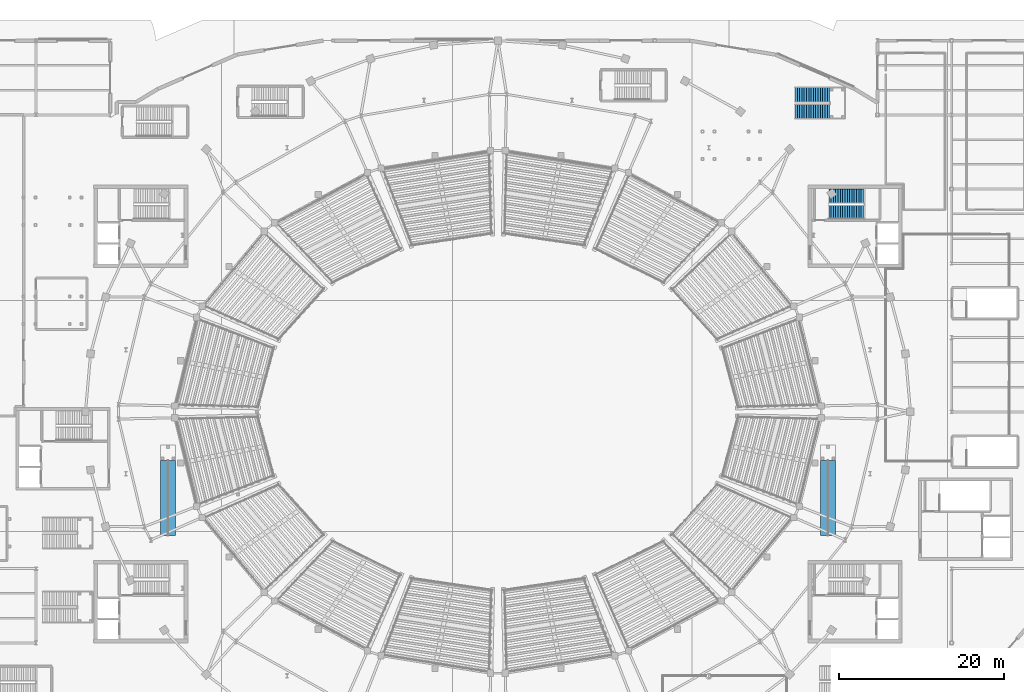
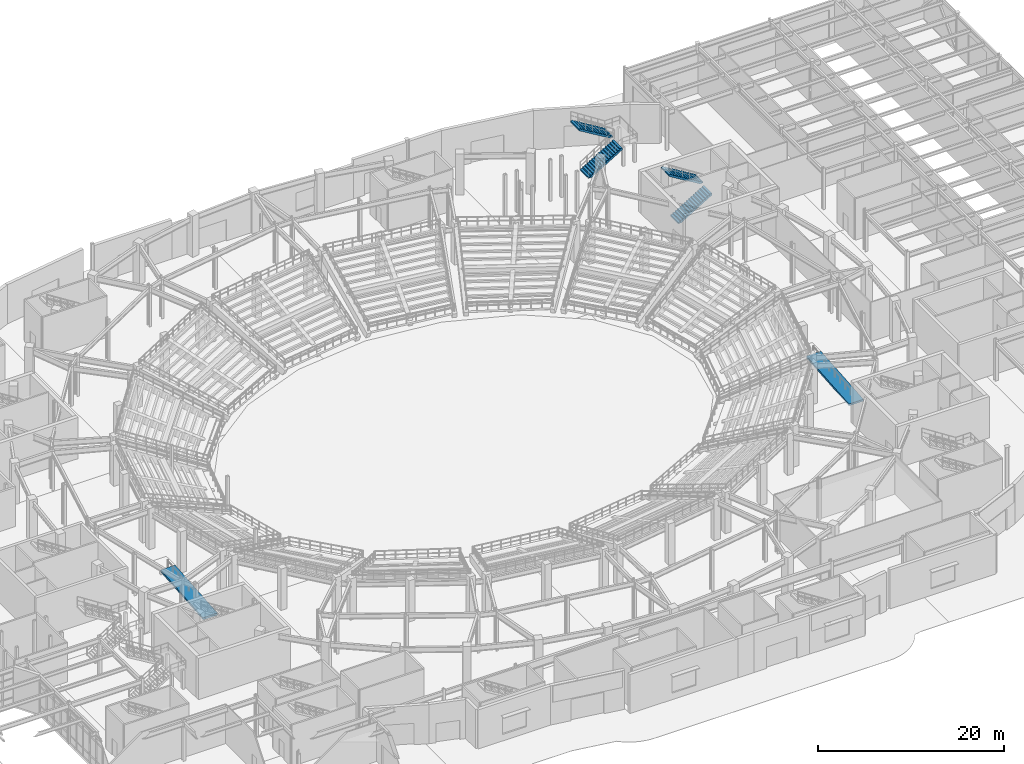
# One storey, part 59 of 79: 4 stair flights, 2 ramp flights, 4 elements without a shape of their own.
"""IFC4 building model written with IfcOpenShell, lengths in metres."""

from ifc_helpers import new_model, si_unit, direction, frame, origin, place, context, subcontext, project, spatial, polyline, outline, extrude, material, layer, layer_set, type_object, element, aggregate, save


model = new_model("IFC4")

# Units and contexts
model_context = context("Model", 3, precision=1e-05, world=origin(), true_north=direction((0.0, 1.0)))
body_context = subcontext(model_context, "Body", "Model", "MODEL_VIEW")
ifc_project = project(units=[si_unit("LENGTHUNIT", "METRE"), si_unit("AREAUNIT", "SQUARE_METRE"), si_unit("VOLUMEUNIT", "CUBIC_METRE"), si_unit("PLANEANGLEUNIT", "RADIAN"), si_unit("MASSUNIT", "GRAM", prefix="KILO")], contexts=[model_context])

# Site, building, storey
site_placement = place(None, origin())
site = spatial("IfcSite", under=ifc_project, at=site_placement, CompositionType="ELEMENT")
building_placement = place(site_placement, origin())
building = spatial("IfcBuilding", under=site, at=building_placement, Name="Glasvene Arena", CompositionType="ELEMENT")
storey_placement = place(building_placement, origin())
storey = spatial("IfcBuildingStorey", under=building, at=storey_placement, Name="L00", CompositionType="ELEMENT", Elevation=0.0)

# Stair, stair flights
ifc_material = material(Name="Concrete C40/50", Category="concrete")
stair_type_1 = type_object("IfcStairType", Name="ST-HT-540-170", PredefinedType="HALF_TURN_STAIR", material=ifc_material)
stair_1_placement = place(storey_placement, origin())
stair_1 = element("IfcStair", 1, at=stair_1_placement, inside=storey, type_object=stair_type_1, Name="Protected escape stair ST-02 (L00 to L01)", PredefinedType="HALF_TURN_STAIR")
stair_flight_type_1 = type_object("IfcStairFlightType", Name="SF-HT-540-170", PredefinedType="STRAIGHT", material=ifc_material)
stair_flight_1_placement = place(storey_placement, frame((132.10009765625, 97.199951171875, 0.0), z_axis=(0.0, 0.0, 1.0), x_axis=(1.0, 0.0, 0.0)))
stair_flight_1 = element("IfcStairFlight", 2, at=stair_flight_1_placement, type_object=stair_flight_type_1, Name="Protected escape stair ST-02 (L00 to L01) flight 1", NumberOfRisers=16, NumberOfTreads=15, PredefinedType="STRAIGHT", RiserHeight=0.16875, TreadLength=0.28, context=body_context, shape_type="SweptSolid", body=[
    extrude(outline(polyline([(0.0, 0.0), (0.0, 0.168701171875), (0.280029296875, 0.168701171875), (0.280029296875, 0.33740234375), (0.56005859375, 0.33740234375), (0.56005859375, 0.50634765625), (0.840087890625, 0.50634765625), (0.840087890625, 0.675048828125), (1.1201171875, 0.675048828125), (1.1201171875, 0.84375), (1.39990234375, 0.84375), (1.39990234375, 1.012451171875), (1.679931640625, 1.012451171875), (1.679931640625, 1.18115234375), (1.9599609375, 1.18115234375), (1.9599609375, 1.35009765625), (2.239990234375, 1.35009765625), (2.239990234375, 1.518798828125), (2.52001953125, 1.518798828125), (2.52001953125, 1.6875), (2.800048828125, 1.6875), (2.800048828125, 1.856201171875), (3.080078125, 1.856201171875), (3.080078125, 2.02490234375), (3.360107421875, 2.02490234375), (3.360107421875, 2.19384765625), (3.639892578125, 2.19384765625), (3.639892578125, 2.362548828125), (3.919921875, 2.362548828125), (3.919921875, 2.53125), (4.199951171875, 2.53125), (4.199951171875, 2.699951171875), (4.199951171875, 2.2978515625), (0.387451171875, 0.0), (0.0, 0.0)])), frame((0.0, 0.85009765625, 0.0), z_axis=(0.0, -1.0, 0.0), x_axis=(1.0, 0.0, 0.0)), (0.0, 0.0, 1.0), 1.699951171875),
])
stair_flight_2_placement = place(storey_placement, frame((136.300048828125, 99.14990234375, 2.699951171875), z_axis=(0.0, 0.0, 1.0), x_axis=(-1.0, 0.0, 0.0)))
stair_flight_2 = element("IfcStairFlight", 3, at=stair_flight_2_placement, type_object=stair_flight_type_1, Name="Protected escape stair ST-02 (L00 to L01) flight 2", NumberOfRisers=16, NumberOfTreads=15, PredefinedType="STRAIGHT", RiserHeight=0.16875, TreadLength=0.28, context=body_context, shape_type="SweptSolid", body=[
    extrude(outline(polyline([(0.0, 0.0), (0.0, 0.168701171875), (0.280029296875, 0.168701171875), (0.280029296875, 0.33740234375), (0.56005859375, 0.33740234375), (0.56005859375, 0.50634765625), (0.840087890625, 0.50634765625), (0.840087890625, 0.675048828125), (1.1201171875, 0.675048828125), (1.1201171875, 0.84375), (1.39990234375, 0.84375), (1.39990234375, 1.012451171875), (1.679931640625, 1.012451171875), (1.679931640625, 1.18115234375), (1.9599609375, 1.18115234375), (1.9599609375, 1.35009765625), (2.239990234375, 1.35009765625), (2.239990234375, 1.518798828125), (2.52001953125, 1.518798828125), (2.52001953125, 1.6875), (2.800048828125, 1.6875), (2.800048828125, 1.856201171875), (3.080078125, 1.856201171875), (3.080078125, 2.02490234375), (3.360107421875, 2.02490234375), (3.360107421875, 2.19384765625), (3.639892578125, 2.19384765625), (3.639892578125, 2.362548828125), (3.919921875, 2.362548828125), (3.919921875, 2.53125), (4.199951171875, 2.53125), (4.199951171875, 2.699951171875), (4.199951171875, 2.2978515625), (0.387451171875, 0.0), (0.0, 0.0)])), frame((0.0, 0.85009765625, 0.0), z_axis=(0.0, -1.0, 0.0), x_axis=(1.0, 0.0, 0.0)), (0.0, 0.0, 1.0), 1.699951171875),
])
aggregate(stair_1, [stair_flight_1, stair_flight_2])

stair_type_2 = type_object("IfcStairType", Name="ST-HT-540-180", PredefinedType="HALF_TURN_STAIR", material=ifc_material)
stair_2_placement = place(storey_placement, origin())
stair_2 = element("IfcStair", 4, at=stair_2_placement, inside=storey, type_object=stair_type_2, Name="Vomitory Stair VOM-04 (L00 to L01)", PredefinedType="HALF_TURN_STAIR")
stair_flight_type_2 = type_object("IfcStairFlightType", Name="SF-HT-540-180", PredefinedType="STRAIGHT", material=ifc_material)
stair_flight_3_placement = place(storey_placement, frame((128.0, 109.39990234375, 0.0), z_axis=(0.0, 0.0, 1.0), x_axis=(1.0, 0.0, 0.0)))
stair_flight_3 = element("IfcStairFlight", 5, at=stair_flight_3_placement, type_object=stair_flight_type_2, Name="Vomitory Stair VOM-04 (L00 to L01) flight 1", NumberOfRisers=16, NumberOfTreads=15, PredefinedType="STRAIGHT", RiserHeight=0.16875, TreadLength=0.28, context=body_context, shape_type="SweptSolid", body=[
    extrude(outline(polyline([(0.0, 0.0), (0.0, 0.168701171875), (0.280029296875, 0.168701171875), (0.280029296875, 0.33740234375), (0.56005859375, 0.33740234375), (0.56005859375, 0.50634765625), (0.840087890625, 0.50634765625), (0.840087890625, 0.675048828125), (1.1201171875, 0.675048828125), (1.1201171875, 0.84375), (1.39990234375, 0.84375), (1.39990234375, 1.012451171875), (1.679931640625, 1.012451171875), (1.679931640625, 1.18115234375), (1.9599609375, 1.18115234375), (1.9599609375, 1.35009765625), (2.239990234375, 1.35009765625), (2.239990234375, 1.518798828125), (2.52001953125, 1.518798828125), (2.52001953125, 1.6875), (2.800048828125, 1.6875), (2.800048828125, 1.856201171875), (3.080078125, 1.856201171875), (3.080078125, 2.02490234375), (3.360107421875, 2.02490234375), (3.360107421875, 2.19384765625), (3.639892578125, 2.19384765625), (3.639892578125, 2.362548828125), (3.919921875, 2.362548828125), (3.919921875, 2.53125), (4.199951171875, 2.53125), (4.199951171875, 2.699951171875), (4.199951171875, 2.2978515625), (0.387451171875, 0.0), (0.0, 0.0)])), frame((0.0, 0.89990234375, 0.0), z_axis=(0.0, -1.0, 0.0), x_axis=(1.0, 0.0, 0.0)), (0.0, 0.0, 1.0), 1.800048828125),
])
stair_flight_4_placement = place(storey_placement, frame((132.199951171875, 111.449951171875, 2.699951171875), z_axis=(0.0, 0.0, 1.0), x_axis=(-1.0, 0.0, 0.0)))
stair_flight_4 = element("IfcStairFlight", 6, at=stair_flight_4_placement, type_object=stair_flight_type_2, Name="Vomitory Stair VOM-04 (L00 to L01) flight 2", NumberOfRisers=16, NumberOfTreads=15, PredefinedType="STRAIGHT", RiserHeight=0.16875, TreadLength=0.28, context=body_context, shape_type="SweptSolid", body=[
    extrude(outline(polyline([(0.0, 0.0), (0.0, 0.168701171875), (0.280029296875, 0.168701171875), (0.280029296875, 0.33740234375), (0.56005859375, 0.33740234375), (0.56005859375, 0.50634765625), (0.840087890625, 0.50634765625), (0.840087890625, 0.675048828125), (1.1201171875, 0.675048828125), (1.1201171875, 0.84375), (1.39990234375, 0.84375), (1.39990234375, 1.012451171875), (1.679931640625, 1.012451171875), (1.679931640625, 1.18115234375), (1.9599609375, 1.18115234375), (1.9599609375, 1.35009765625), (2.239990234375, 1.35009765625), (2.239990234375, 1.518798828125), (2.52001953125, 1.518798828125), (2.52001953125, 1.6875), (2.800048828125, 1.6875), (2.800048828125, 1.856201171875), (3.080078125, 1.856201171875), (3.080078125, 2.02490234375), (3.360107421875, 2.02490234375), (3.360107421875, 2.19384765625), (3.639892578125, 2.19384765625), (3.639892578125, 2.362548828125), (3.919921875, 2.362548828125), (3.919921875, 2.53125), (4.199951171875, 2.53125), (4.199951171875, 2.699951171875), (4.199951171875, 2.2978515625), (0.387451171875, 0.0), (0.0, 0.0)])), frame((0.0, 0.89990234375, 0.0), z_axis=(0.0, -1.0, 0.0), x_axis=(1.0, 0.0, 0.0)), (0.0, 0.0, 1.0), 1.800048828125),
])
aggregate(stair_2, [stair_flight_3, stair_flight_4])

# Ramp, ramp flight
ramp_type = type_object("IfcRampType", Name="RP-PED-180", PredefinedType="STRAIGHT_RUN_RAMP", material=ifc_material)
ramp_1_placement = place(storey_placement, origin())
ramp_1 = element("IfcRamp", 7, at=ramp_1_placement, inside=storey, type_object=ramp_type, Name="Accessible 1:12 pedestrian ramp RP-P1", PredefinedType="STRAIGHT_RUN_RAMP")
ifc_layer = layer(ifc_material, 0.25)
ifc_layer_set = layer_set([ifc_layer], Name="Concrete C40/50")
ramp_flight_type = type_object("IfcRampFlightType", Name="RF-PED-180", PredefinedType="STRAIGHT", material=ifc_layer_set)
ramp_flight_1_placement = place(storey_placement, frame((52.0, 58.0, 0.0), z_axis=(0.0, 0.0, 1.0), x_axis=(0.0, 1.0, 0.0)))
ramp_flight_1 = element("IfcRampFlight", 8, at=ramp_flight_1_placement, type_object=ramp_flight_type, Name="Accessible 1:12 pedestrian ramp RP-P1 flight 1", PredefinedType="STRAIGHT", context=body_context, shape_type="SweptSolid", body=[
    extrude(outline(polyline([(0.0, -0.2509765625), (9.1201171875, 0.509033203125), (9.1201171875, 0.760009765625), (0.0, 0.0), (0.0, -0.2509765625)])), frame((0.0, 0.89990234375, 0.0), z_axis=(0.0, -1.0, 0.0), x_axis=(1.0, 0.0, 0.0)), (0.0, 0.0, 1.0), 1.800048828125),
])
aggregate(ramp_1, [ramp_flight_1])

ramp_2_placement = place(storey_placement, origin())
ramp_2 = element("IfcRamp", 9, at=ramp_2_placement, inside=storey, type_object=ramp_type, Name="Accessible 1:12 pedestrian ramp RP-P2", PredefinedType="STRAIGHT_RUN_RAMP")
ramp_flight_2_placement = place(storey_placement, frame((132.0, 58.0, 0.0), z_axis=(0.0, 0.0, 1.0), x_axis=(0.0, 1.0, 0.0)))
ramp_flight_2 = element("IfcRampFlight", 10, at=ramp_flight_2_placement, type_object=ramp_flight_type, Name="Accessible 1:12 pedestrian ramp RP-P2 flight 1", PredefinedType="STRAIGHT", context=body_context, shape_type="SweptSolid", body=[
    extrude(outline(polyline([(0.0, -0.2509765625), (9.1201171875, 0.509033203125), (9.1201171875, 0.760009765625), (0.0, 0.0), (0.0, -0.2509765625)])), frame((0.0, 0.89990234375, 0.0), z_axis=(0.0, -1.0, 0.0), x_axis=(1.0, 0.0, 0.0)), (0.0, 0.0, 1.0), 1.800048828125),
])
aggregate(ramp_2, [ramp_flight_2])

save(model, "model.ifc")
